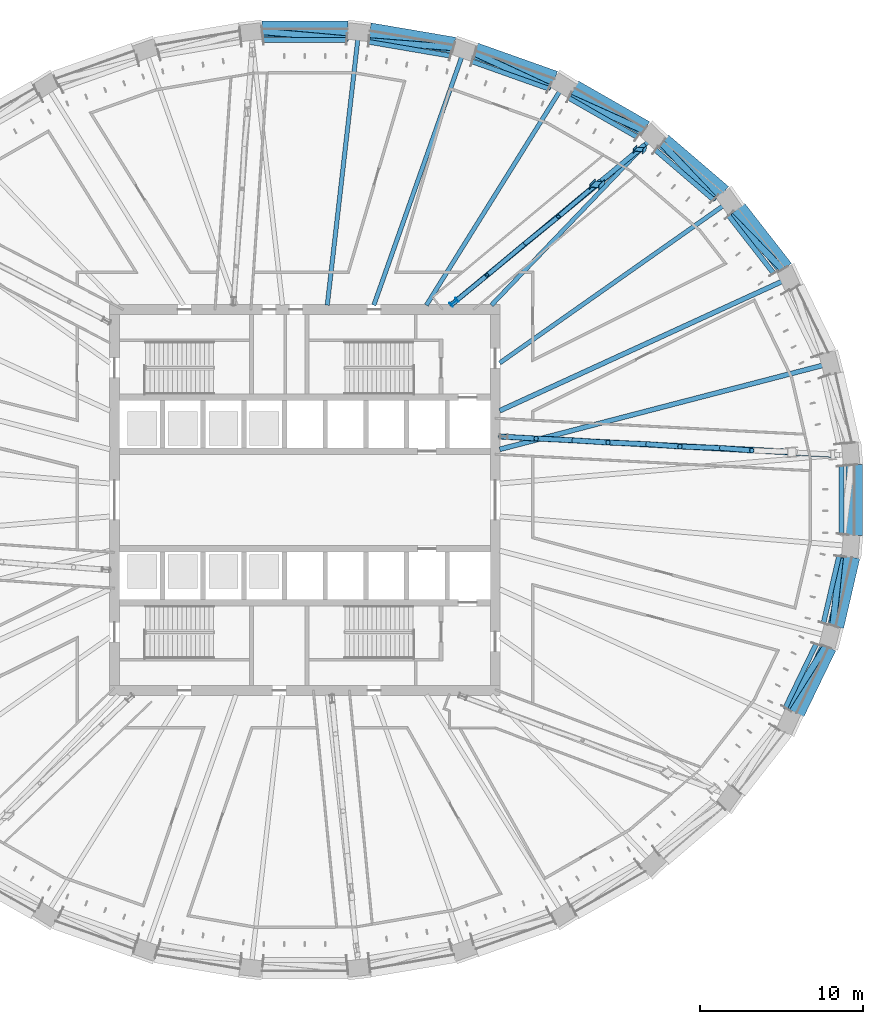
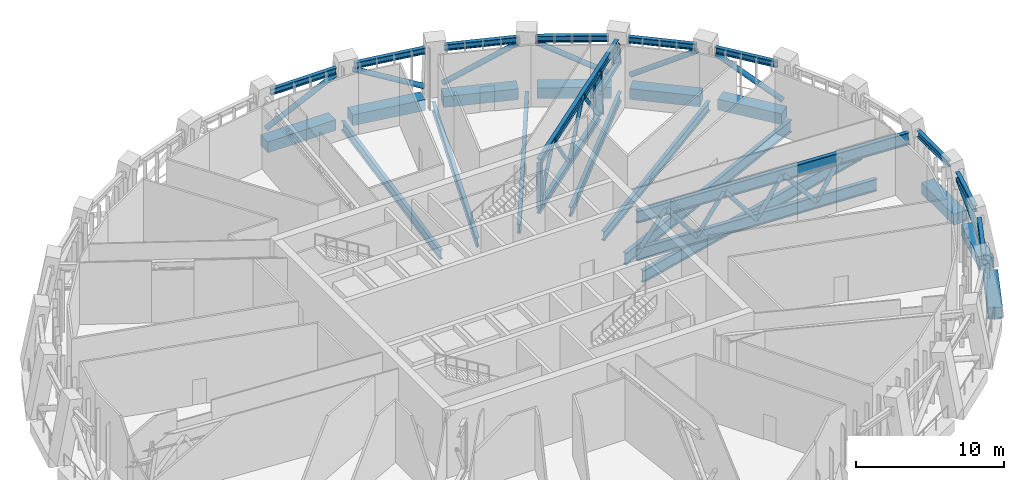
# One storey, part 5 of 21: 36 members, 16 beams.
"""IFC4 building model written with IfcOpenShell, lengths in metres."""

from ifc_helpers import new_model, si_unit, direction, frame, origin, origin_2d, place, context, subcontext, project, spatial, rectangle, hollow_circle, i_section, extrude, material, material_profile, profile_set, type_object, element, save


model = new_model("IFC4")

# Units and contexts
model_context = context("Model", 3, precision=1e-05, world=origin(), true_north=direction((0.0, 1.0)))
body_context = subcontext(model_context, "Body", "Model", "MODEL_VIEW")
ifc_project = project(units=[si_unit("LENGTHUNIT", "METRE"), si_unit("AREAUNIT", "SQUARE_METRE"), si_unit("VOLUMEUNIT", "CUBIC_METRE"), si_unit("PLANEANGLEUNIT", "RADIAN"), si_unit("MASSUNIT", "GRAM", prefix="KILO")], contexts=[model_context])

# Site, building, storey
site_placement = place(None, origin())
site = spatial("IfcSite", under=ifc_project, at=site_placement, CompositionType="ELEMENT")
building_placement = place(site_placement, origin())
building = spatial("IfcBuilding", under=site, at=building_placement, Name="Halqa Exchange Tower", CompositionType="ELEMENT")
storey_placement = place(building_placement, frame((0.0, 0.0, 173.5)))
storey = spatial("IfcBuildingStorey", under=building, at=storey_placement, Name="L39", CompositionType="ELEMENT", Elevation=173.5)

# Members
ifc_material_1 = material(Name="Steel S355", Category="steel")
ifc_material_profile_1 = material_profile(ifc_material_1, i_section(OverallWidth=0.300048828125, OverallDepth=0.5, WebThickness=0.014404296875, FlangeThickness=0.028076171875, FilletRadius=0.027099609375, at=origin_2d()), Name="HEB 500")
ifc_profile_set_1 = profile_set([ifc_material_profile_1], Name="Steel S355")
member_type_1 = type_object("IfcMemberType", Name="Belt truss chord HEB 500", PredefinedType="CHORD", material=ifc_profile_set_1)
member_1_placement = place(storey_placement, frame((28.806396484375, 13.92041015625, 4.25), z_axis=(-0.61479322814, 0.788688333014, 0.0), x_axis=(-0.788688333014, -0.61479322814, 0.0)))
element("IfcMember", 1, at=member_1_placement, inside=storey, type_object=member_type_1, Name="Belt chord 3", PredefinedType="CHORD", context=body_context, shape_type="SweptSolid", body=[
    extrude(i_section(OverallWidth=0.300048828125, OverallDepth=0.5, WebThickness=0.014404296875, FlangeThickness=0.028076171875, FilletRadius=0.027099609375, at=origin_2d()), origin(), (0.0, 0.0, 1.0), 4.517822265625),
])
member_2_placement = place(storey_placement, frame((25.099853515625, 18.45703125, 4.25), z_axis=(-0.759249266191, 0.650799932228, 0.0), x_axis=(-0.650799932228, -0.759249266191, 0.0)))
element("IfcMember", 2, at=member_2_placement, inside=storey, type_object=member_type_1, Name="Belt chord 4", PredefinedType="CHORD", context=body_context, shape_type="SweptSolid", body=[
    extrude(i_section(OverallWidth=0.300048828125, OverallDepth=0.5, WebThickness=0.014404296875, FlangeThickness=0.028076171875, FilletRadius=0.027099609375, at=origin_2d()), origin(), (0.0, 0.0, 1.0), 4.6982421875),
])
member_3_placement = place(storey_placement, frame((20.4345703125, 22.289306640625, 4.25), z_axis=(-0.867761979949, 0.496980025912, 0.0), x_axis=(-0.496980025912, -0.867761979949, 0.0)))
element("IfcMember", 3, at=member_3_placement, inside=storey, type_object=member_type_1, Name="Belt chord 5", PredefinedType="CHORD", context=body_context, shape_type="SweptSolid", body=[
    extrude(i_section(OverallWidth=0.300048828125, OverallDepth=0.5, WebThickness=0.014404296875, FlangeThickness=0.028076171875, FilletRadius=0.027099609375, at=origin_2d()), origin(), (0.0, 0.0, 1.0), 4.875244140625),
])
member_4_placement = place(storey_placement, frame((14.982666015625, 25.273193359375, 4.25), z_axis=(-0.942378759051, 0.334547865769, 0.0), x_axis=(-0.334547865769, -0.942378759051, 0.0)))
element("IfcMember", 4, at=member_4_placement, inside=storey, type_object=member_type_1, Name="Belt chord 6", PredefinedType="CHORD", context=body_context, shape_type="SweptSolid", body=[
    extrude(i_section(OverallWidth=0.300048828125, OverallDepth=0.5, WebThickness=0.014404296875, FlangeThickness=0.028076171875, FilletRadius=0.027099609375, at=origin_2d()), origin(), (0.0, 0.0, 1.0), 5.01708984375),
])
member_5_placement = place(storey_placement, frame((8.952880859375, 27.291015625, 4.25), z_axis=(-0.985772726473, 0.168083704572, 0.0), x_axis=(-0.168083704572, -0.985772726473, 0.0)))
element("IfcMember", 5, at=member_5_placement, inside=storey, type_object=member_type_1, Name="Belt chord 7", PredefinedType="CHORD", context=body_context, shape_type="SweptSolid", body=[
    extrude(i_section(OverallWidth=0.300048828125, OverallDepth=0.5, WebThickness=0.014404296875, FlangeThickness=0.028076171875, FilletRadius=0.027099609375, at=origin_2d()), origin(), (0.0, 0.0, 1.0), 5.11279296875),
])
member_6_placement = place(storey_placement, frame((2.572998046875, 28.263916015625, 4.25), z_axis=(-1.0, 0.0, 0.0), x_axis=(0.0, -1.0, 0.0)))
element("IfcMember", 6, at=member_6_placement, inside=storey, type_object=member_type_1, Name="Belt chord 8", PredefinedType="CHORD", context=body_context, shape_type="SweptSolid", body=[
    extrude(i_section(OverallWidth=0.300048828125, OverallDepth=0.5, WebThickness=0.014404296875, FlangeThickness=0.028076171875, FilletRadius=0.027099609375, at=origin_2d()), origin(), (0.0, 0.0, 1.0), 5.14599609375),
])
member_7_placement = place(storey_placement, frame((29.515625, -12.779541015625, 4.25), z_axis=(0.435124788825, 0.900370156186, 0.0), x_axis=(-0.900370156186, 0.435124788825, 0.0)))
element("IfcMember", 7, at=member_7_placement, inside=storey, type_object=member_type_1, Name="Belt chord 30", PredefinedType="CHORD", context=body_context, shape_type="SweptSolid", body=[
    extrude(i_section(OverallWidth=0.300048828125, OverallDepth=0.5, WebThickness=0.014404296875, FlangeThickness=0.028076171875, FilletRadius=0.027099609375, at=origin_2d()), origin(), (0.0, 0.0, 1.0), 4.36083984375),
])
member_8_placement = place(storey_placement, frame((31.8603515625, -7.5849609375, 4.25), z_axis=(0.226071328972, 0.974110750488, 0.0), x_axis=(-0.974110750488, 0.226071328972, 0.0)))
element("IfcMember", 8, at=member_8_placement, inside=storey, type_object=member_type_1, Name="Belt chord 31", PredefinedType="CHORD", context=body_context, shape_type="SweptSolid", body=[
    extrude(i_section(OverallWidth=0.300048828125, OverallDepth=0.5, WebThickness=0.014404296875, FlangeThickness=0.028076171875, FilletRadius=0.027099609375, at=origin_2d()), origin(), (0.0, 0.0, 1.0), 4.251708984375),
])
member_9_placement = place(storey_placement, frame((32.974609375, -2.1064453125, 4.25), z_axis=(0.0, 1.0, 0.0), x_axis=(-1.0, 0.0, 0.0)))
element("IfcMember", 9, at=member_9_placement, inside=storey, type_object=member_type_1, Name="Belt chord 32", PredefinedType="CHORD", context=body_context, shape_type="SweptSolid", body=[
    extrude(i_section(OverallWidth=0.300048828125, OverallDepth=0.5, WebThickness=0.014404296875, FlangeThickness=0.028076171875, FilletRadius=0.027099609375, at=origin_2d()), origin(), (0.0, 0.0, 1.0), 4.212890625),
])
ifc_material_profile_2 = material_profile(ifc_material_1, hollow_circle(Radius=0.203125, WallThickness=0.02490234375, at=origin_2d()), Name="CHS 406.4x25")
ifc_profile_set_2 = profile_set([ifc_material_profile_2], Name="Steel S355")
member_type_2 = type_object("IfcMemberType", Name="Belt truss diagonal CHS 406.4x25", PredefinedType="BRACE", material=ifc_profile_set_2)
member_10_placement = place(storey_placement, frame((29.355224609375, 14.161865234375, 0.92529296875), z_axis=(-0.592278904126, 0.610162521226, 0.526219913552), x_axis=(-0.717544051753, -0.696513125356, 0.0)))
element("IfcMember", 10, at=member_10_placement, inside=storey, type_object=member_type_2, Name="Belt diagonal 3", PredefinedType="BRACE", context=body_context, shape_type="SweptSolid", body=[
    extrude(hollow_circle(Radius=0.203125, WallThickness=0.02490234375, at=origin_2d()), origin(), (0.0, 0.0, 1.0), 5.52880859375),
])
member_11_placement = place(storey_placement, frame((25.152099609375, 18.505126953125, 3.833740234375), z_axis=(-0.583532491297, 0.617896955882, -0.526966017417), x_axis=(-0.727034799672, -0.686600611758, 0.0)))
element("IfcMember", 11, at=member_11_placement, inside=storey, type_object=member_type_2, Name="Belt diagonal 4", PredefinedType="BRACE", context=body_context, shape_type="SweptSolid", body=[
    extrude(hollow_circle(Radius=0.203125, WallThickness=0.02490234375, at=origin_2d()), origin(), (0.0, 0.0, 1.0), 5.520263671875),
])
member_12_placement = place(storey_placement, frame((20.8359375, 22.695556640625, 0.90087890625), z_axis=(-0.78679811285, 0.354666112903, 0.505134316765), x_axis=(-0.410949443891, -0.911658134701, 0.0)))
element("IfcMember", 12, at=member_12_placement, inside=storey, type_object=member_type_2, Name="Belt diagonal 5", PredefinedType="BRACE", context=body_context, shape_type="SweptSolid", body=[
    extrude(hollow_circle(Radius=0.203125, WallThickness=0.02490234375, at=origin_2d()), origin(), (0.0, 0.0, 1.0), 5.8525390625),
])
member_13_placement = place(storey_placement, frame((15.010986328125, 25.330322265625, 3.856689453125), z_axis=(-0.782080762977, 0.36412751632, -0.505728021806), x_axis=(-0.422082394496, -0.906557473223, 0.0)))
element("IfcMember", 13, at=member_13_placement, inside=storey, type_object=member_type_2, Name="Belt diagonal 6", PredefinedType="BRACE", context=body_context, shape_type="SweptSolid", body=[
    extrude(hollow_circle(Radius=0.203125, WallThickness=0.02490234375, at=origin_2d()), origin(), (0.0, 0.0, 1.0), 5.8466796875),
])
member_14_placement = place(storey_placement, frame((9.139404296875, 27.80078125, 0.88818359375), z_axis=(-0.866524460087, 0.068092166109, 0.494468216356), x_axis=(-0.078339279972, -0.996926756193, 0.0)))
element("IfcMember", 14, at=member_14_placement, inside=storey, type_object=member_type_2, Name="Belt diagonal 7", PredefinedType="BRACE", context=body_context, shape_type="SweptSolid", body=[
    extrude(hollow_circle(Radius=0.203125, WallThickness=0.02490234375, at=origin_2d()), origin(), (0.0, 0.0, 1.0), 6.027099609375),
])
member_15_placement = place(storey_placement, frame((2.579345703125, 28.32421875, 3.8681640625), z_axis=(-0.865617575763, 0.078114237588, -0.494574947219), x_axis=(-0.089875840883, -0.995952977417, 0.0)))
element("IfcMember", 15, at=member_15_placement, inside=storey, type_object=member_type_2, Name="Belt diagonal 8", PredefinedType="BRACE", context=body_context, shape_type="SweptSolid", body=[
    extrude(hollow_circle(Radius=0.203125, WallThickness=0.02490234375, at=origin_2d()), origin(), (0.0, 0.0, 1.0), 6.02587890625),
])
member_16_placement = place(storey_placement, frame((29.5810546875, -12.82080078125, 3.822265625), z_axis=(0.451449029018, 0.712332770759, -0.537378635509), x_axis=(-0.844655590948, 0.535310127571, 0.0)))
element("IfcMember", 16, at=member_16_placement, inside=storey, type_object=member_type_2, Name="Belt diagonal 30", PredefinedType="BRACE", context=body_context, shape_type="SweptSolid", body=[
    extrude(hollow_circle(Radius=0.203125, WallThickness=0.02490234375, at=origin_2d()), origin(), (0.0, 0.0, 1.0), 5.364013671875),
])
member_17_placement = place(storey_placement, frame((32.4453125, -7.729736328125, 0.95751953125), z_axis=(0.088716374085, 0.829155061044, 0.551934135305), x_axis=(-0.994324598687, 0.10638887369, 0.0)))
element("IfcMember", 17, at=member_17_placement, inside=storey, type_object=member_type_2, Name="Belt diagonal 31", PredefinedType="BRACE", context=body_context, shape_type="SweptSolid", body=[
    extrude(hollow_circle(Radius=0.203125, WallThickness=0.02490234375, at=origin_2d()), origin(), (0.0, 0.0, 1.0), 5.159912109375),
])

# Beams
ifc_material_profile_3 = material_profile(ifc_material_1, i_section(OverallWidth=0.300048828125, OverallDepth=0.989990234375, WebThickness=0.0166015625, FlangeThickness=0.031005859375, FilletRadius=0.030029296875, at=origin_2d()), Name="HEA 1000")
ifc_profile_set_3 = profile_set([ifc_material_profile_3], Name="Steel S355")
beam_type_1 = type_object("IfcBeamType", Name="Floor beam HEA 1000", PredefinedType="BEAM", material=ifc_profile_set_3)
beam_1_placement = place(storey_placement, frame((11.972412109375, 5.4853515625, -0.844970703125), z_axis=(0.909131678644, 0.416508812495, 0.0), x_axis=(-0.416508812495, 0.909131678644, 0.0)))
element("IfcBeam", 18, at=beam_1_placement, inside=storey, type_object=beam_type_1, Name="Radial beam 3", PredefinedType="BEAM", context=body_context, shape_type="SweptSolid", body=[
    extrude(i_section(OverallWidth=0.300048828125, OverallDepth=0.989990234375, WebThickness=0.0166015625, FlangeThickness=0.031005859375, FilletRadius=0.030029296875, at=origin_2d()), origin(), (0.0, 0.0, 1.0), 19.36083984375),
])
ifc_material_profile_4 = material_profile(ifc_material_1, i_section(OverallWidth=0.300048828125, OverallDepth=1.0, WebThickness=0.01904296875, FlangeThickness=0.035888671875, FilletRadius=0.030029296875, at=origin_2d()), Name="HEB 1000")
ifc_profile_set_4 = profile_set([ifc_material_profile_4], Name="Steel S355")
beam_type_2 = type_object("IfcBeamType", Name="Floor beam HEB 1000", PredefinedType="BEAM", material=ifc_profile_set_4)
beam_2_placement = place(storey_placement, frame((11.97119140625, 3.11279296875, -0.85009765625), z_axis=(0.967821534715, 0.251637590478, 0.0), x_axis=(-0.251637590478, 0.967821534715, 0.0)))
element("IfcBeam", 19, at=beam_2_placement, inside=storey, type_object=beam_type_2, Name="Radial beam 2", PredefinedType="BEAM", context=body_context, shape_type="SweptSolid", body=[
    extrude(i_section(OverallWidth=0.300048828125, OverallDepth=1.0, WebThickness=0.01904296875, FlangeThickness=0.035888671875, FilletRadius=0.030029296875, at=origin_2d()), origin(), (0.0, 0.0, 1.0), 20.79638671875),
])
ifc_material_profile_5 = material_profile(ifc_material_1, i_section(OverallWidth=0.264892578125, OverallDepth=0.7529296875, WebThickness=0.01318359375, FlangeThickness=0.01708984375, FilletRadius=0.01708984375, at=origin_2d()), Name="IPE 750x147")
ifc_profile_set_5 = profile_set([ifc_material_profile_5], Name="Steel S355")
beam_type_3 = type_object("IfcBeamType", Name="Floor beam IPE 750x147", PredefinedType="BEAM", material=ifc_profile_set_5)
beam_3_placement = place(storey_placement, frame((11.462890625, 11.97216796875, -0.7265625), z_axis=(0.691574751558, 0.722304896153, 0.0), x_axis=(-0.722304896153, 0.691574751558, 0.0)))
element("IfcBeam", 20, at=beam_3_placement, inside=storey, type_object=beam_type_3, Name="Radial beam 5", PredefinedType="BEAM", context=body_context, shape_type="SweptSolid", body=[
    extrude(i_section(OverallWidth=0.264892578125, OverallDepth=0.7529296875, WebThickness=0.01318359375, FlangeThickness=0.01708984375, FilletRadius=0.01708984375, at=origin_2d()), origin(), (0.0, 0.0, 1.0), 14.165283203125),
])
ifc_material_profile_6 = material_profile(ifc_material_1, i_section(OverallWidth=0.26806640625, OverallDepth=0.77001953125, WebThickness=0.015625, FlangeThickness=0.025390625, FilletRadius=0.01708984375, at=origin_2d()), Name="IPE 750x196")
ifc_profile_set_6 = profile_set([ifc_material_profile_6], Name="Steel S355")
beam_type_4 = type_object("IfcBeamType", Name="Floor beam IPE 750x196", PredefinedType="BEAM", material=ifc_profile_set_6)
beam_4_placement = place(storey_placement, frame((11.971435546875, 8.421142578125, -0.735107421875), z_axis=(0.817908264437, 0.575348651659, 0.0), x_axis=(-0.575348651659, 0.817908264437, 0.0)))
element("IfcBeam", 21, at=beam_4_placement, inside=storey, type_object=beam_type_4, Name="Radial beam 4", PredefinedType="BEAM", context=body_context, shape_type="SweptSolid", body=[
    extrude(i_section(OverallWidth=0.26806640625, OverallDepth=0.77001953125, WebThickness=0.015625, FlangeThickness=0.025390625, FilletRadius=0.01708984375, at=origin_2d()), origin(), (0.0, 0.0, 1.0), 17.04638671875),
])
beam_5_placement = place(storey_placement, frame((7.46533203125, 11.971435546875, -0.735107421875), z_axis=(0.529139539114, 0.848534824357, 0.0), x_axis=(-0.848534824357, 0.529139539114, 0.0)))
element("IfcBeam", 22, at=beam_5_placement, inside=storey, type_object=beam_type_4, Name="Radial beam 6", PredefinedType="BEAM", context=body_context, shape_type="SweptSolid", body=[
    extrude(i_section(OverallWidth=0.26806640625, OverallDepth=0.77001953125, WebThickness=0.015625, FlangeThickness=0.025390625, FilletRadius=0.01708984375, at=origin_2d()), origin(), (0.0, 0.0, 1.0), 15.73486328125),
])
beam_6_placement = place(storey_placement, frame((4.237060546875, 11.972412109375, -0.735107421875), z_axis=(0.333624740658, 0.942705962865, 0.0), x_axis=(-0.942705962865, 0.333624740658, 0.0)))
element("IfcBeam", 23, at=beam_6_placement, inside=storey, type_object=beam_type_4, Name="Radial beam 7", PredefinedType="BEAM", context=body_context, shape_type="SweptSolid", body=[
    extrude(i_section(OverallWidth=0.26806640625, OverallDepth=0.77001953125, WebThickness=0.015625, FlangeThickness=0.025390625, FilletRadius=0.01708984375, at=origin_2d()), origin(), (0.0, 0.0, 1.0), 16.440185546875),
])
beam_7_placement = place(storey_placement, frame((1.37548828125, 11.97119140625, -0.735107421875), z_axis=(0.114150878314, 0.993463425084, 0.0), x_axis=(-0.993463425084, 0.114150878314, 0.0)))
element("IfcBeam", 24, at=beam_7_placement, inside=storey, type_object=beam_type_4, Name="Radial beam 8", PredefinedType="BEAM", context=body_context, shape_type="SweptSolid", body=[
    extrude(i_section(OverallWidth=0.26806640625, OverallDepth=0.77001953125, WebThickness=0.015625, FlangeThickness=0.025390625, FilletRadius=0.01708984375, at=origin_2d()), origin(), (0.0, 0.0, 1.0), 16.70361328125),
])

# Members
ifc_material_profile_7 = material_profile(ifc_material_1, i_section(OverallWidth=0.300048828125, OverallDepth=0.60009765625, WebThickness=0.015380859375, FlangeThickness=0.030029296875, FilletRadius=0.027099609375, at=origin_2d()), Name="HEB 600")
ifc_profile_set_7 = profile_set([ifc_material_profile_7], Name="Steel S355")
member_type_3 = type_object("IfcMemberType", Name="Outrigger chord HEB 600", PredefinedType="CHORD", material=ifc_profile_set_7)
member_18_placement = place(storey_placement, frame((8.979248046875, 11.98291015625, 0.300048828125), z_axis=(0.769318185396, 0.638865815034, 0.0), x_axis=(-0.638865815034, 0.769318185396, 0.0)))
element("IfcMember", 25, at=member_18_placement, inside=storey, type_object=member_type_3, Name="Outrigger 2 chord", PredefinedType="CHORD", context=body_context, shape_type="SweptSolid", body=[
    extrude(i_section(OverallWidth=0.300048828125, OverallDepth=0.60009765625, WebThickness=0.015380859375, FlangeThickness=0.030029296875, FilletRadius=0.027099609375, at=origin_2d()), origin(), (0.0, 0.0, 1.0), 11.90087890625),
])
member_19_placement = place(storey_placement, frame((8.979248046875, 11.98291015625, 4.199951171875), z_axis=(0.772478310237, 0.635041148441, 0.0), x_axis=(-0.635041148441, 0.772478310237, 0.0)))
element("IfcMember", 26, at=member_19_placement, inside=storey, type_object=member_type_3, Name="Outrigger 2 chord", PredefinedType="CHORD", context=body_context, shape_type="SweptSolid", body=[
    extrude(i_section(OverallWidth=0.300048828125, OverallDepth=0.60009765625, WebThickness=0.015380859375, FlangeThickness=0.030029296875, FilletRadius=0.027099609375, at=origin_2d()), origin(), (0.0, 0.0, 1.0), 15.1650390625),
])
ifc_material_profile_8 = material_profile(ifc_material_1, i_section(OverallWidth=0.302001953125, OverallDepth=1.008056640625, WebThickness=0.02099609375, FlangeThickness=0.0400390625, FilletRadius=0.030029296875, at=origin_2d()), Name="HEM 1000")
ifc_profile_set_8 = profile_set([ifc_material_profile_8], Name="Steel S355")
member_type_4 = type_object("IfcMemberType", Name="Outrigger chord HEM 1000", PredefinedType="CHORD", material=ifc_profile_set_8)
member_20_placement = place(storey_placement, frame((11.97314453125, 3.9013671875, 0.50390625), z_axis=(0.998658428182, -0.051781693882, 0.0), x_axis=(0.051781693882, 0.998658428182, 0.0)))
element("IfcMember", 27, at=member_20_placement, inside=storey, type_object=member_type_4, Name="Outrigger 1 chord", PredefinedType="CHORD", context=body_context, shape_type="SweptSolid", body=[
    extrude(i_section(OverallWidth=0.302001953125, OverallDepth=1.008056640625, WebThickness=0.02099609375, FlangeThickness=0.0400390625, FilletRadius=0.030029296875, at=origin_2d()), origin(), (0.0, 0.0, 1.0), 18.23681640625),
])
member_21_placement = place(storey_placement, frame((11.97314453125, 3.9013671875, 3.60595703125), z_axis=(0.998456971861, -0.055530850357, 0.0), x_axis=(0.055530850357, 0.998456971861, 0.0)))
element("IfcMember", 28, at=member_21_placement, inside=storey, type_object=member_type_4, Name="Outrigger 1 chord", PredefinedType="CHORD", context=body_context, shape_type="SweptSolid", body=[
    extrude(i_section(OverallWidth=0.302001953125, OverallDepth=1.008056640625, WebThickness=0.02099609375, FlangeThickness=0.0400390625, FilletRadius=0.030029296875, at=origin_2d()), origin(), (0.0, 0.0, 1.0), 20.67236328125),
])
ifc_material_profile_9 = material_profile(ifc_material_1, hollow_circle(Radius=0.136474609375, WallThickness=0.01611328125, at=origin_2d()), Name="CHS 273x16")
ifc_profile_set_9 = profile_set([ifc_material_profile_9], Name="Steel S355")
member_type_5 = type_object("IfcMemberType", Name="Outrigger diagonal CHS 273x16", PredefinedType="BRACE", material=ifc_profile_set_9)
member_22_placement = place(storey_placement, frame((9.0, 12.0, 0.300048828125), z_axis=(0.45457499764, 0.373691928246, 0.808527002817), x_axis=(-0.635034690821, 0.77248361889, 0.0)))
element("IfcMember", 29, at=member_22_placement, inside=storey, type_object=member_type_5, Name="Outrigger 2 diagonal", PredefinedType="BRACE", context=body_context, shape_type="SweptSolid", body=[
    extrude(hollow_circle(Radius=0.136474609375, WallThickness=0.01611328125, at=origin_2d()), origin(), (0.0, 0.0, 1.0), 4.823486328125),
])
member_23_placement = place(storey_placement, frame((11.192626953125, 13.802490234375, 4.199951171875), z_axis=(0.475454535777, 0.398568765122, -0.784274138218), x_axis=(-0.642423419034, 0.766349887895, 0.0)))
element("IfcMember", 30, at=member_23_placement, inside=storey, type_object=member_type_5, Name="Outrigger 2 diagonal", PredefinedType="BRACE", context=body_context, shape_type="SweptSolid", body=[
    extrude(hollow_circle(Radius=0.136474609375, WallThickness=0.01611328125, at=origin_2d()), origin(), (0.0, 0.0, 1.0), 4.97265625),
])
member_24_placement = place(storey_placement, frame((13.556884765625, 15.784423828125, 0.300048828125), z_axis=(0.431585167691, 0.346602826143, 0.832826947174), x_axis=(-0.626164197525, 0.779691219482, 0.0)))
element("IfcMember", 31, at=member_24_placement, inside=storey, type_object=member_type_5, Name="Outrigger 2 diagonal", PredefinedType="BRACE", context=body_context, shape_type="SweptSolid", body=[
    extrude(hollow_circle(Radius=0.136474609375, WallThickness=0.01611328125, at=origin_2d()), origin(), (0.0, 0.0, 1.0), 4.6826171875),
])
member_25_placement = place(storey_placement, frame((15.577880859375, 17.407470703125, 4.199951171875), z_axis=(0.494411774533, 0.421354200996, -0.760274709895), x_axis=(-0.648634698105, 0.761099880709, 0.0)))
element("IfcMember", 32, at=member_25_placement, inside=storey, type_object=member_type_5, Name="Outrigger 2 diagonal", PredefinedType="BRACE", context=body_context, shape_type="SweptSolid", body=[
    extrude(hollow_circle(Radius=0.136474609375, WallThickness=0.01611328125, at=origin_2d()), origin(), (0.0, 0.0, 1.0), 5.129638671875),
])
ifc_material_profile_10 = material_profile(ifc_material_1, hollow_circle(Radius=0.161865234375, WallThickness=0.01611328125, at=origin_2d()), Name="CHS 323.9x16")
ifc_profile_set_10 = profile_set([ifc_material_profile_10], Name="Steel S355")
member_type_6 = type_object("IfcMemberType", Name="Outrigger diagonal CHS 323.9x16", PredefinedType="BRACE", material=ifc_profile_set_10)
member_26_placement = place(storey_placement, frame((12.0, 3.89990234375, 0.50390625), z_axis=(0.579674648263, -0.032232627468, 0.814210267614), x_axis=(0.055518924435, 0.99845763507, 0.0)))
element("IfcMember", 33, at=member_26_placement, inside=storey, type_object=member_type_6, Name="Outrigger 1 diagonal", PredefinedType="BRACE", context=body_context, shape_type="SweptSolid", body=[
    extrude(hollow_circle(Radius=0.161865234375, WallThickness=0.01611328125, at=origin_2d()), origin(), (0.0, 0.0, 1.0), 3.809814453125),
])
member_27_placement = place(storey_placement, frame((14.20849609375, 3.777099609375, 3.60595703125), z_axis=(0.600532357464, -0.028992084699, -0.799074681531), x_axis=(0.048221144759, 0.998836683947, 0.0)))
element("IfcMember", 34, at=member_27_placement, inside=storey, type_object=member_type_6, Name="Outrigger 1 diagonal", PredefinedType="BRACE", context=body_context, shape_type="SweptSolid", body=[
    extrude(hollow_circle(Radius=0.161865234375, WallThickness=0.01611328125, at=origin_2d()), origin(), (0.0, 0.0, 1.0), 3.882080078125),
])
member_28_placement = place(storey_placement, frame((16.539794921875, 3.66455078125, 0.50390625), z_axis=(0.557658398732, -0.035571609002, 0.829308007291), x_axis=(0.063658077412, 0.997971767727, 0.0)))
element("IfcMember", 35, at=member_28_placement, inside=storey, type_object=member_type_6, Name="Outrigger 1 diagonal", PredefinedType="BRACE", context=body_context, shape_type="SweptSolid", body=[
    extrude(hollow_circle(Radius=0.161865234375, WallThickness=0.01611328125, at=origin_2d()), origin(), (0.0, 0.0, 1.0), 3.740478515625),
])
member_29_placement = place(storey_placement, frame((18.625732421875, 3.531494140625, 3.60595703125), z_axis=(0.620157145891, -0.025855307873, -0.784051412507), x_axis=(0.041655355656, 0.999132038994, 0.0)))
element("IfcMember", 36, at=member_29_placement, inside=storey, type_object=member_type_6, Name="Outrigger 1 diagonal", PredefinedType="BRACE", context=body_context, shape_type="SweptSolid", body=[
    extrude(hollow_circle(Radius=0.161865234375, WallThickness=0.01611328125, at=origin_2d()), origin(), (0.0, 0.0, 1.0), 3.95654296875),
])
member_30_placement = place(storey_placement, frame((21.079345703125, 3.42919921875, 0.50390625), z_axis=(0.534447475894, -0.039071878133, 0.844298101294), x_axis=(0.072912463799, 0.997338344105, 0.0)))
element("IfcMember", 37, at=member_30_placement, inside=storey, type_object=member_type_6, Name="Outrigger 1 diagonal", PredefinedType="BRACE", context=body_context, shape_type="SweptSolid", body=[
    extrude(hollow_circle(Radius=0.161865234375, WallThickness=0.01611328125, at=origin_2d()), origin(), (0.0, 0.0, 1.0), 3.674072265625),
])
member_31_placement = place(storey_placement, frame((23.04296875, 3.28564453125, 3.60595703125), z_axis=(0.638683882611, -0.022760415113, -0.769132538381), x_axis=(0.035613825757, 0.999365626493, 0.0)))
element("IfcMember", 38, at=member_31_placement, inside=storey, type_object=member_type_6, Name="Outrigger 1 diagonal", PredefinedType="BRACE", context=body_context, shape_type="SweptSolid", body=[
    extrude(hollow_circle(Radius=0.161865234375, WallThickness=0.01611328125, at=origin_2d()), origin(), (0.0, 0.0, 1.0), 4.033203125),
])
member_32_placement = place(storey_placement, frame((25.618896484375, 3.19384765625, 0.50390625), z_axis=(0.50996595914, -0.042598588472, 0.859139150999), x_axis=(0.083242307335, 0.996529336382, 0.0)))
element("IfcMember", 39, at=member_32_placement, inside=storey, type_object=member_type_6, Name="Outrigger 1 diagonal", PredefinedType="BRACE", context=body_context, shape_type="SweptSolid", body=[
    extrude(hollow_circle(Radius=0.161865234375, WallThickness=0.01611328125, at=origin_2d()), origin(), (0.0, 0.0, 1.0), 3.610595703125),
])
ifc_material_profile_11 = material_profile(ifc_material_1, i_section(OverallWidth=0.300048828125, OverallDepth=0.300048828125, WebThickness=0.010986328125, FlangeThickness=0.01904296875, FilletRadius=0.027099609375, at=origin_2d()), Name="HEB 300")
ifc_profile_set_11 = profile_set([ifc_material_profile_11], Name="Steel S355")
member_type_7 = type_object("IfcMemberType", Name="Outrigger opening chord HEB 300", PredefinedType="CHORD", material=ifc_profile_set_11)
member_33_placement = place(storey_placement, frame((17.933349609375, 19.380126953125, 2.35009765625), z_axis=(0.770923968688, 0.636927181476, 0.0), x_axis=(-0.636927181476, 0.770923968688, 0.0)))
element("IfcMember", 40, at=member_33_placement, inside=storey, type_object=member_type_7, Name="Outrigger 2 opening chord", PredefinedType="CHORD", context=body_context, shape_type="SweptSolid", body=[
    extrude(i_section(OverallWidth=0.300048828125, OverallDepth=0.300048828125, WebThickness=0.010986328125, FlangeThickness=0.01904296875, FilletRadius=0.027099609375, at=origin_2d()), origin(), (0.0, 0.0, 1.0), 3.862548828125),
])
ifc_material_profile_12 = material_profile(ifc_material_1, i_section(OverallWidth=0.300048828125, OverallDepth=0.5, WebThickness=0.014404296875, FlangeThickness=0.028076171875, FilletRadius=0.027099609375, at=origin_2d()), Name="HEB 500")
ifc_profile_set_12 = profile_set([ifc_material_profile_12], Name="Steel S355")
member_type_8 = type_object("IfcMemberType", Name="Outrigger post HEB 500", PredefinedType="POST", material=ifc_profile_set_12)
member_34_placement = place(storey_placement, frame((9.1708984375, 12.14208984375, 0.300048828125), z_axis=(0.0, 0.0, 1.0), x_axis=(-0.63904977427, 0.76916538274, 0.0)))
element("IfcMember", 41, at=member_34_placement, inside=storey, type_object=member_type_8, Name="Outrigger 2 post", PredefinedType="POST", context=body_context, shape_type="SweptSolid", body=[
    extrude(i_section(OverallWidth=0.300048828125, OverallDepth=0.5, WebThickness=0.014404296875, FlangeThickness=0.028076171875, FilletRadius=0.027099609375, at=origin_2d()), origin(), (0.0, 0.0, 1.0), 3.89990234375),
])
ifc_material_profile_13 = material_profile(ifc_material_1, i_section(OverallWidth=0.300048828125, OverallDepth=0.60009765625, WebThickness=0.015380859375, FlangeThickness=0.030029296875, FilletRadius=0.027099609375, at=origin_2d()), Name="HEB 600")
ifc_profile_set_13 = profile_set([ifc_material_profile_13], Name="Steel S355")
member_type_9 = type_object("IfcMemberType", Name="Outrigger post HEB 600", PredefinedType="POST", material=ifc_profile_set_13)
member_35_placement = place(storey_placement, frame((18.114013671875, 19.56884765625, 0.300048828125), z_axis=(-0.087374582552, -0.091286877293, 0.991984066585), x_axis=(0.065920641684, 0.993079948582, 0.097194057047)))
element("IfcMember", 42, at=member_35_placement, inside=storey, type_object=member_type_9, Name="Outrigger 2 post", PredefinedType="POST", context=body_context, shape_type="SweptSolid", body=[
    extrude(i_section(OverallWidth=0.300048828125, OverallDepth=0.60009765625, WebThickness=0.015380859375, FlangeThickness=0.030029296875, FilletRadius=0.027099609375, at=origin_2d()), origin(), (0.0, 0.0, 1.0), 3.931396484375),
])
member_36_placement = place(storey_placement, frame((20.68115234375, 21.649169921875, 2.35009765625), z_axis=(-0.115801486567, -0.121006047761, 0.985874004178), x_axis=(0.062591690794, 0.989689860744, 0.128826471598)))
element("IfcMember", 43, at=member_36_placement, inside=storey, type_object=member_type_9, Name="Outrigger 2 post", PredefinedType="POST", context=body_context, shape_type="SweptSolid", body=[
    extrude(i_section(OverallWidth=0.300048828125, OverallDepth=0.60009765625, WebThickness=0.015380859375, FlangeThickness=0.030029296875, FilletRadius=0.027099609375, at=origin_2d()), origin(), (0.0, 0.0, 1.0), 1.87646484375),
])

# Beams
ifc_material_2 = material(Name="Concrete C60/75", Category="concrete")
ifc_material_profile_14 = material_profile(ifc_material_2, rectangle(XDim=1.0, YDim=0.89990234375, at=origin_2d()), Name="1000 x 900")
ifc_profile_set_14 = profile_set([ifc_material_profile_14], Name="Concrete C60/75")
beam_type_5 = type_object("IfcBeamType", Name="RC spandrel beam 1000 x 900 C60/75", PredefinedType="SPANDREL", material=ifc_profile_set_14)
beam_8_placement = place(storey_placement, frame((29.500244140625, 14.239013671875, -0.449951171875), z_axis=(-0.614796515977, 0.78868577009, 0.0), x_axis=(-0.78868577009, -0.614796515977, 0.0)))
element("IfcBeam", 44, at=beam_8_placement, inside=storey, type_object=beam_type_5, Name="Spandrel 3", PredefinedType="SPANDREL", context=body_context, shape_type="SweptSolid", body=[
    extrude(rectangle(XDim=1.0, YDim=0.89990234375, at=origin_2d()), origin(), (0.0, 0.0, 1.0), 4.658447265625),
])
beam_9_placement = place(storey_placement, frame((25.70849609375, 18.884521484375, -0.449951171875), z_axis=(-0.759260160399, 0.650787222394, 0.0), x_axis=(-0.650787222394, -0.759260160399, 0.0)))
element("IfcBeam", 45, at=beam_9_placement, inside=storey, type_object=beam_type_5, Name="Spandrel 4", PredefinedType="SPANDREL", context=body_context, shape_type="SweptSolid", body=[
    extrude(rectangle(XDim=1.0, YDim=0.89990234375, at=origin_2d()), origin(), (0.0, 0.0, 1.0), 4.843505859375),
])
beam_10_placement = place(storey_placement, frame((20.93359375, 22.810791015625, -0.449951171875), z_axis=(-0.867743165303, 0.497012876161, 0.0), x_axis=(-0.497012876161, -0.867743165303, 0.0)))
element("IfcBeam", 46, at=beam_10_placement, inside=storey, type_object=beam_type_5, Name="Spandrel 5", PredefinedType="SPANDREL", context=body_context, shape_type="SweptSolid", body=[
    extrude(rectangle(XDim=1.0, YDim=0.89990234375, at=origin_2d()), origin(), (0.0, 0.0, 1.0), 5.022705078125),
])
beam_11_placement = place(storey_placement, frame((15.354248046875, 25.867919921875, -0.449951171875), z_axis=(-0.942370602203, 0.334570841682, 0.0), x_axis=(-0.334570841682, -0.942370602203, 0.0)))
element("IfcBeam", 47, at=beam_11_placement, inside=storey, type_object=beam_type_5, Name="Spandrel 6", PredefinedType="SPANDREL", context=body_context, shape_type="SweptSolid", body=[
    extrude(rectangle(XDim=1.0, YDim=0.89990234375, at=origin_2d()), origin(), (0.0, 0.0, 1.0), 5.169921875),
])
beam_12_placement = place(storey_placement, frame((9.1826171875, 27.936279296875, -0.449951171875), z_axis=(-0.985766792744, 0.168118500836, 0.0), x_axis=(-0.168118500836, -0.985766792744, 0.0)))
element("IfcBeam", 48, at=beam_12_placement, inside=storey, type_object=beam_type_5, Name="Spandrel 7", PredefinedType="SPANDREL", context=body_context, shape_type="SweptSolid", body=[
    extrude(rectangle(XDim=1.0, YDim=0.89990234375, at=origin_2d()), origin(), (0.0, 0.0, 1.0), 5.26708984375),
])
beam_13_placement = place(storey_placement, frame((2.649658203125, 28.935302734375, -0.449951171875), z_axis=(-1.0, 0.0, 0.0), x_axis=(0.0, -1.0, 0.0)))
element("IfcBeam", 49, at=beam_13_placement, inside=storey, type_object=beam_type_5, Name="Spandrel 8", PredefinedType="SPANDREL", context=body_context, shape_type="SweptSolid", body=[
    extrude(rectangle(XDim=1.0, YDim=0.89990234375, at=origin_2d()), origin(), (0.0, 0.0, 1.0), 5.29931640625),
])
beam_14_placement = place(storey_placement, frame((30.20947265625, -13.09814453125, -0.449951171875), z_axis=(0.435099717308, 0.900382272148, 0.0), x_axis=(-0.900382272148, 0.435099717308, 0.0)))
element("IfcBeam", 50, at=beam_14_placement, inside=storey, type_object=beam_type_5, Name="Spandrel 30", PredefinedType="SPANDREL", context=body_context, shape_type="SweptSolid", body=[
    extrude(rectangle(XDim=1.0, YDim=0.89990234375, at=origin_2d()), origin(), (0.0, 0.0, 1.0), 4.497314453125),
])
beam_15_placement = place(storey_placement, frame((32.613525390625, -7.780517578125, -0.449951171875), z_axis=(0.226050480348, 0.974115588795, 0.0), x_axis=(-0.974115588795, 0.226050480348, 0.0)))
element("IfcBeam", 51, at=beam_15_placement, inside=storey, type_object=beam_type_5, Name="Spandrel 31", PredefinedType="SPANDREL", context=body_context, shape_type="SweptSolid", body=[
    extrude(rectangle(XDim=1.0, YDim=0.89990234375, at=origin_2d()), origin(), (0.0, 0.0, 1.0), 4.385986328125),
])
beam_16_placement = place(storey_placement, frame((33.7578125, -2.173828125, -0.449951171875), z_axis=(0.0, 1.0, 0.0), x_axis=(-1.0, 0.0, 0.0)))
element("IfcBeam", 52, at=beam_16_placement, inside=storey, type_object=beam_type_5, Name="Spandrel 32", PredefinedType="SPANDREL", context=body_context, shape_type="SweptSolid", body=[
    extrude(rectangle(XDim=1.0, YDim=0.89990234375, at=origin_2d()), origin(), (0.0, 0.0, 1.0), 4.34765625),
])

save(model, "model.ifc")
